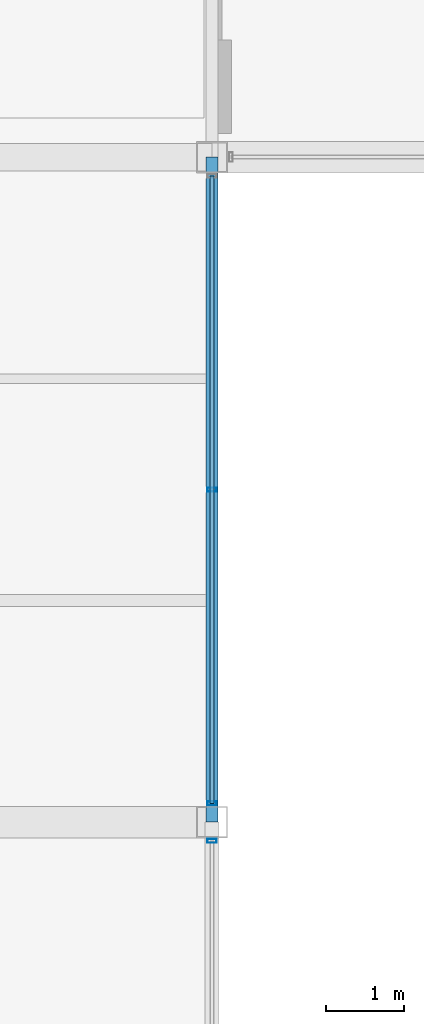
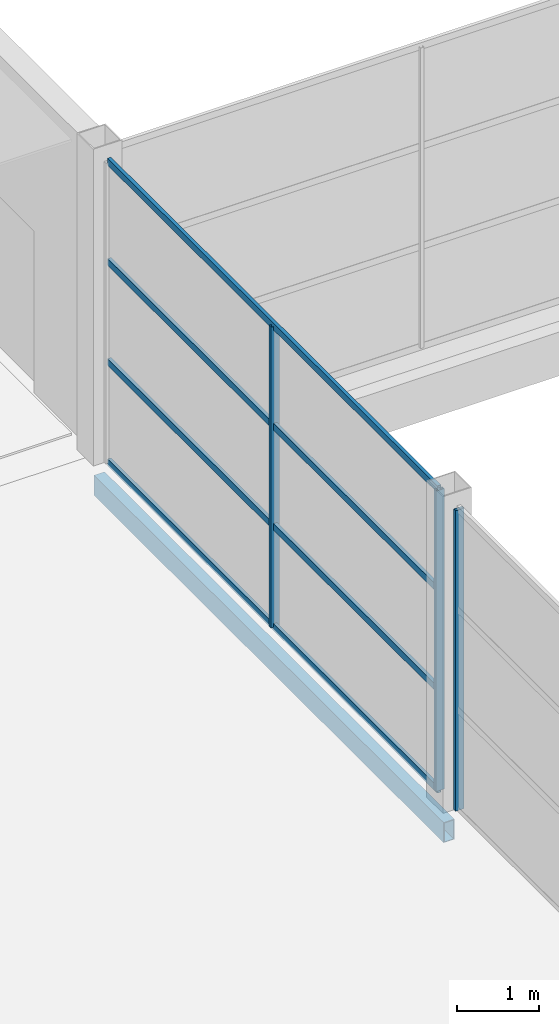
# One storey, part 72 of 112: 7 members, 1 beam, 2 elements without a shape of their own.
"""IFC4 building model written with IfcOpenShell, lengths in metres."""

from ifc_helpers import new_model, si_unit, direction, frame, origin, origin_2d, place, context, subcontext, project, spatial, hollow_rectangle, extrude, material, material_profile, profile_set, type_object, element, aggregate, save


model = new_model("IFC4")

# Units and contexts
model_context = context("Model", 3, precision=1e-05, world=origin(), true_north=direction((0.0, 1.0)))
body_context = subcontext(model_context, "Body", "Model", "MODEL_VIEW")
ifc_project = project(units=[si_unit("LENGTHUNIT", "METRE"), si_unit("AREAUNIT", "SQUARE_METRE"), si_unit("VOLUMEUNIT", "CUBIC_METRE"), si_unit("PLANEANGLEUNIT", "RADIAN"), si_unit("MASSUNIT", "GRAM", prefix="KILO")], contexts=[model_context])

# Site, building, storey
site_placement = place(None, origin())
site = spatial("IfcSite", under=ifc_project, at=site_placement, CompositionType="ELEMENT")
building_placement = place(site_placement, origin())
building = spatial("IfcBuilding", under=site, at=building_placement, Name="Solvikara Media Centre", CompositionType="ELEMENT")
storey_placement = place(building_placement, frame((0.0, 0.0, 5.39990234375)))
storey = spatial("IfcBuildingStorey", under=building, at=storey_placement, Name="L01", CompositionType="ELEMENT", Elevation=5.39990234375)

# Beam
ifc_material_1 = material(Name="Steel S355JR", Category="steel")
ifc_material_profile_1 = material_profile(ifc_material_1, hollow_rectangle(XDim=0.14990234375, YDim=0.300048828125, WallThickness=0.010009765625, at=origin_2d()), Name="RHS 300x150x10")
ifc_profile_set_1 = profile_set([ifc_material_profile_1], Name="Steel S355JR")
beam_type = type_object("IfcBeamType", Name="BM-35", PredefinedType="BEAM", material=ifc_profile_set_1)
beam_placement = place(storey_placement, frame((136.5, 80.5, -0.451904296875), z_axis=(0.0, 1.0, 0.0), x_axis=(-1.0, 0.0, 0.0)))
element("IfcBeam", 1, at=beam_placement, inside=storey, type_object=beam_type, Name="B-L01-Y0617", PredefinedType="BEAM", context=body_context, shape_type="SweptSolid", body=[
    extrude(hollow_rectangle(XDim=0.14990234375, YDim=0.300048828125, WallThickness=0.010009765625, at=origin_2d()), origin(), (0.0, 0.0, 1.0), 8.5),
])

# Curtain wall, members
ifc_material_2 = material(Name="Anodised aluminium EN AW-6063", Category="aluminium")
curtain_wall_type = type_object("IfcCurtainWallType", Name="CW-12", PredefinedType="NOTDEFINED", material=ifc_material_2)
curtain_wall_1_placement = place(storey_placement, origin())
curtain_wall_1 = element("IfcCurtainWall", 2, at=curtain_wall_1_placement, inside=storey, type_object=curtain_wall_type, Name="CW-L01-CRT-4-S1", PredefinedType="NOTDEFINED")
ifc_material_profile_2 = material_profile(ifc_material_2, hollow_rectangle(XDim=0.050048828125, YDim=0.1201171875, WallThickness=0.0029296875, at=origin_2d()), Name="ALU-M 50x120x3")
ifc_profile_set_2 = profile_set([ifc_material_profile_2], Name="Anodised aluminium EN AW-6063")
member_type_1 = type_object("IfcMemberType", Name="MF-06", PredefinedType="MULLION", material=ifc_profile_set_2)
member_1_placement = place(storey_placement, frame((136.5, 84.75, 0.02001953125), z_axis=(0.0, 0.0, 1.0), x_axis=(0.0, -1.0, 0.0)))
member_1 = element("IfcMember", 3, at=member_1_placement, type_object=member_type_1, Name="CW-L01-CRT-4-S1-M01", PredefinedType="MULLION", context=body_context, shape_type="SweptSolid", body=[
    extrude(hollow_rectangle(XDim=0.050048828125, YDim=0.1201171875, WallThickness=0.0029296875, at=origin_2d()), origin(), (0.0, 0.0, 1.0), 4.4599609375),
])
member_2_placement = place(storey_placement, frame((136.5, 80.739990234375, 0.02001953125), z_axis=(0.0, 0.0, 1.0), x_axis=(0.0, -1.0, 0.0)))
member_2 = element("IfcMember", 4, at=member_2_placement, type_object=member_type_1, Name="CW-L01-CRT-4-S1-M02", PredefinedType="MULLION", context=body_context, shape_type="SweptSolid", body=[
    extrude(hollow_rectangle(XDim=0.050048828125, YDim=0.1201171875, WallThickness=0.0029296875, at=origin_2d()), origin(), (0.0, 0.0, 1.0), 4.4599609375),
])

# Curtain wall, member
curtain_wall_2_placement = place(storey_placement, origin())
curtain_wall_2 = element("IfcCurtainWall", 5, at=curtain_wall_2_placement, inside=storey, type_object=curtain_wall_type, Name="CW-L01-CRT-4-S2", PredefinedType="NOTDEFINED")
member_3_placement = place(storey_placement, frame((136.5, 80.260009765625, 0.02001953125), z_axis=(0.0, 0.0, 1.0), x_axis=(0.0, -1.0, 0.0)))
member_3 = element("IfcMember", 6, at=member_3_placement, type_object=member_type_1, Name="CW-L01-CRT-4-S2-M00", PredefinedType="MULLION", context=body_context, shape_type="SweptSolid", body=[
    extrude(hollow_rectangle(XDim=0.050048828125, YDim=0.1201171875, WallThickness=0.0029296875, at=origin_2d()), origin(), (0.0, 0.0, 1.0), 4.4599609375),
])
aggregate(curtain_wall_2, [member_3])

# Member
ifc_material_profile_3 = material_profile(ifc_material_2, hollow_rectangle(XDim=0.050048828125, YDim=0.10009765625, WallThickness=0.0029296875, at=origin_2d()), Name="ALU-T 50x100x3")
ifc_profile_set_3 = profile_set([ifc_material_profile_3], Name="Anodised aluminium EN AW-6063")
member_type_2 = type_object("IfcMemberType", Name="MF-12", PredefinedType="USERDEFINED", material=ifc_profile_set_3)
member_4_placement = place(storey_placement, frame((136.5, 88.760009765625, 0.02001953125), z_axis=(0.0, -1.0, 0.0), x_axis=(1.0, 0.0, 0.0)))
member_4 = element("IfcMember", 7, at=member_4_placement, type_object=member_type_2, Name="CW-L01-CRT-4-S1-T00", ObjectType="TRANSOM", PredefinedType="USERDEFINED", context=body_context, shape_type="SweptSolid", body=[
    extrude(hollow_rectangle(XDim=0.050048828125, YDim=0.10009765625, WallThickness=0.0029296875, at=origin_2d()), origin(), (0.0, 0.0, 1.0), 8.02001953125),
])

member_5_placement = place(storey_placement, frame((136.5, 88.760009765625, 1.507080078125), z_axis=(0.0, -1.0, 0.0), x_axis=(1.0, 0.0, 0.0)))
member_5 = element("IfcMember", 8, at=member_5_placement, type_object=member_type_2, Name="CW-L01-CRT-4-S1-T01", ObjectType="TRANSOM", PredefinedType="USERDEFINED", context=body_context, shape_type="SweptSolid", body=[
    extrude(hollow_rectangle(XDim=0.050048828125, YDim=0.10009765625, WallThickness=0.0029296875, at=origin_2d()), origin(), (0.0, 0.0, 1.0), 8.02001953125),
])

member_6_placement = place(storey_placement, frame((136.5, 88.760009765625, 2.9931640625), z_axis=(0.0, -1.0, 0.0), x_axis=(1.0, 0.0, 0.0)))
member_6 = element("IfcMember", 9, at=member_6_placement, type_object=member_type_2, Name="CW-L01-CRT-4-S1-T02", ObjectType="TRANSOM", PredefinedType="USERDEFINED", context=body_context, shape_type="SweptSolid", body=[
    extrude(hollow_rectangle(XDim=0.050048828125, YDim=0.10009765625, WallThickness=0.0029296875, at=origin_2d()), origin(), (0.0, 0.0, 1.0), 8.02001953125),
])

member_7_placement = place(storey_placement, frame((136.5, 88.760009765625, 4.47998046875), z_axis=(0.0, -1.0, 0.0), x_axis=(1.0, 0.0, 0.0)))
member_7 = element("IfcMember", 10, at=member_7_placement, type_object=member_type_2, Name="CW-L01-CRT-4-S1-T03", ObjectType="TRANSOM", PredefinedType="USERDEFINED", context=body_context, shape_type="SweptSolid", body=[
    extrude(hollow_rectangle(XDim=0.050048828125, YDim=0.10009765625, WallThickness=0.0029296875, at=origin_2d()), origin(), (0.0, 0.0, 1.0), 8.02001953125),
])

aggregate(curtain_wall_1, [member_1, member_2, member_4, member_5, member_6, member_7])

save(model, "model.ifc")
